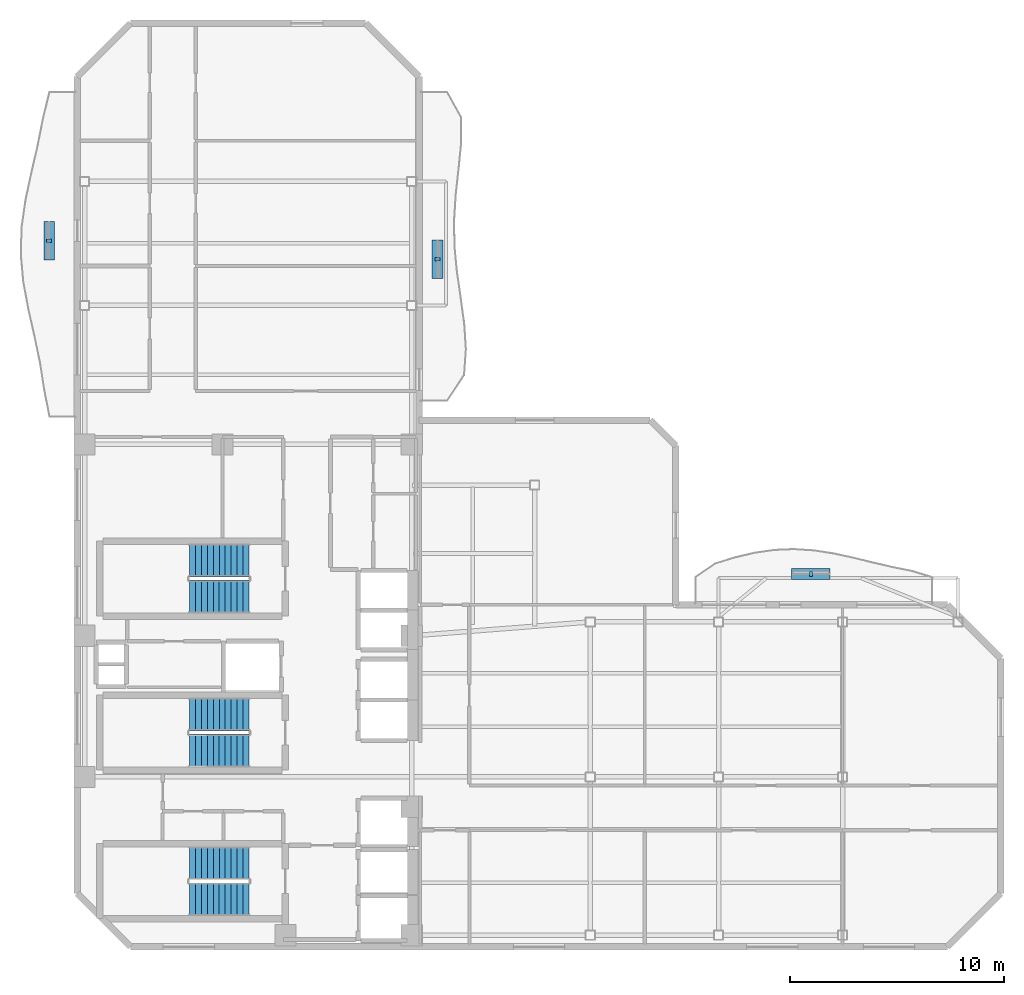
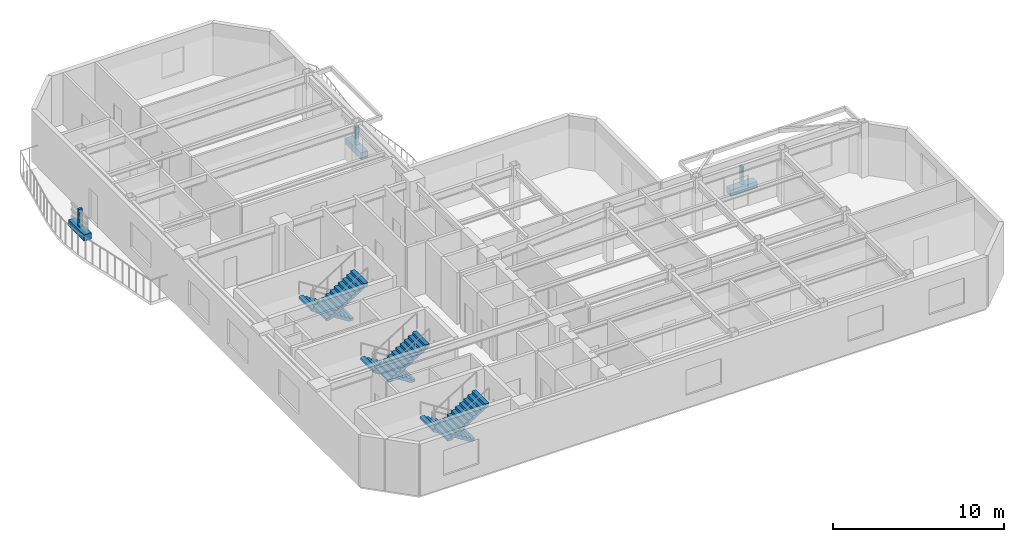
# One storey, part 6 of 9: 6 discrete accessories, 6 stair flights, 3 elements without a shape of their own.
"""IFC4 building model written with IfcOpenShell, lengths in metres."""

from ifc_helpers import new_model, si_unit, direction, frame, origin, origin_2d, place, context, subcontext, project, spatial, polyline, rectangle, outline, extrude, material, type_object, element, aggregate, save


model = new_model("IFC4")

# Units and contexts
model_context = context("Model", 3, precision=1e-05, world=origin(), true_north=direction((0.0, 1.0)))
body_context = subcontext(model_context, "Body", "Model", "MODEL_VIEW")
ifc_project = project(units=[si_unit("LENGTHUNIT", "METRE"), si_unit("AREAUNIT", "SQUARE_METRE"), si_unit("VOLUMEUNIT", "CUBIC_METRE"), si_unit("PLANEANGLEUNIT", "RADIAN"), si_unit("MASSUNIT", "GRAM", prefix="KILO")], contexts=[model_context])

# Site, building, storey
site_placement = place(None, origin())
site = spatial("IfcSite", under=ifc_project, at=site_placement, CompositionType="ELEMENT")
building_placement = place(site_placement, origin())
building = spatial("IfcBuilding", under=site, at=building_placement, Name="Mawjaban Terraces University", CompositionType="ELEMENT")
storey_placement = place(building_placement, frame((0.0, 0.0, 179.699951171875)))
storey = spatial("IfcBuildingStorey", under=building, at=storey_placement, Name="L43", CompositionType="ELEMENT", Elevation=179.699951171875)

# Stair, stair flights
ifc_material_1 = material(Name="Concrete C40/50", Category="concrete")
stair_type = type_object("IfcStairType", Name="Stair_Core1550_H39", PredefinedType="HALF_TURN_STAIR", material=ifc_material_1)
stair_1_placement = place(storey_placement, origin())
stair_1 = element("IfcStair", 1, at=stair_1_placement, inside=storey, type_object=stair_type, Name="L43 Core Exit Stair 1", PredefinedType="HALF_TURN_STAIR")
stair_flight_type = type_object("IfcStairFlightType", Name="Flight_Core1550_H39", PredefinedType="STRAIGHT", material=ifc_material_1)
stair_flight_1_placement = place(storey_placement, frame((30.050048828125, 3.925048828125, 0.0), z_axis=(0.0, 0.0, 1.0), x_axis=(-1.0, 0.0, 0.0)))
stair_flight_1 = element("IfcStairFlight", 2, at=stair_flight_1_placement, type_object=stair_flight_type, Name="ST-1 flight 1", NumberOfRisers=11, NumberOfTreads=10, PredefinedType="STRAIGHT", RiserHeight=0.177272727, TreadLength=0.28, context=body_context, shape_type="SweptSolid", body=[
    extrude(outline(polyline([(0.0, 0.0), (0.0, 0.17724609375), (0.280029296875, 0.17724609375), (0.280029296875, 0.3544921875), (0.56005859375, 0.3544921875), (0.56005859375, 0.53173828125), (0.840087890625, 0.53173828125), (0.840087890625, 0.708984375), (1.1201171875, 0.708984375), (1.1201171875, 0.886474609375), (1.39990234375, 0.886474609375), (1.39990234375, 1.063720703125), (1.679931640625, 1.063720703125), (1.679931640625, 1.240966796875), (1.9599609375, 1.240966796875), (1.9599609375, 1.418212890625), (2.239990234375, 1.418212890625), (2.239990234375, 1.595458984375), (2.52001953125, 1.595458984375), (2.52001953125, 1.772705078125), (2.800048828125, 1.772705078125), (2.800048828125, 1.949951171875), (2.800048828125, 1.59521484375), (0.2802734375, 0.0), (0.0, 0.0)])), frame((0.0, 0.77490234375, 0.0), z_axis=(0.0, -1.0, 0.0), x_axis=(1.0, 0.0, 0.0)), (0.0, 0.0, 1.0), 1.550048828125),
])
stair_flight_2_placement = place(storey_placement, frame((27.25, 2.22509765625, 1.949951171875), z_axis=(0.0, 0.0, 1.0), x_axis=(1.0, 0.0, 0.0)))
stair_flight_2 = element("IfcStairFlight", 3, at=stair_flight_2_placement, type_object=stair_flight_type, Name="ST-1 flight 2", NumberOfRisers=11, NumberOfTreads=10, PredefinedType="STRAIGHT", RiserHeight=0.177272727, TreadLength=0.28, context=body_context, shape_type="SweptSolid", body=[
    extrude(outline(polyline([(0.0, 0.0), (0.0, 0.17724609375), (0.280029296875, 0.17724609375), (0.280029296875, 0.3544921875), (0.56005859375, 0.3544921875), (0.56005859375, 0.53173828125), (0.840087890625, 0.53173828125), (0.840087890625, 0.708984375), (1.1201171875, 0.708984375), (1.1201171875, 0.886474609375), (1.39990234375, 0.886474609375), (1.39990234375, 1.063720703125), (1.679931640625, 1.063720703125), (1.679931640625, 1.240966796875), (1.9599609375, 1.240966796875), (1.9599609375, 1.418212890625), (2.239990234375, 1.418212890625), (2.239990234375, 1.595458984375), (2.52001953125, 1.595458984375), (2.52001953125, 1.772705078125), (2.800048828125, 1.772705078125), (2.800048828125, 1.949951171875), (2.800048828125, 1.59521484375), (0.2802734375, 0.0), (0.0, 0.0)])), frame((0.0, 0.77490234375, 0.0), z_axis=(0.0, -1.0, 0.0), x_axis=(1.0, 0.0, 0.0)), (0.0, 0.0, 1.0), 1.550048828125),
])
aggregate(stair_1, [stair_flight_1, stair_flight_2])

stair_2_placement = place(storey_placement, origin())
stair_2 = element("IfcStair", 4, at=stair_2_placement, inside=storey, type_object=stair_type, Name="L43 Core Exit Stair 2", PredefinedType="HALF_TURN_STAIR")
stair_flight_3_placement = place(storey_placement, frame((30.050048828125, 18.074951171875, 0.0), z_axis=(0.0, 0.0, 1.0), x_axis=(-1.0, 0.0, 0.0)))
stair_flight_3 = element("IfcStairFlight", 5, at=stair_flight_3_placement, type_object=stair_flight_type, Name="ST-2 flight 1", NumberOfRisers=11, NumberOfTreads=10, PredefinedType="STRAIGHT", RiserHeight=0.177272727, TreadLength=0.28, context=body_context, shape_type="SweptSolid", body=[
    extrude(outline(polyline([(0.0, 0.0), (0.0, 0.17724609375), (0.280029296875, 0.17724609375), (0.280029296875, 0.3544921875), (0.56005859375, 0.3544921875), (0.56005859375, 0.53173828125), (0.840087890625, 0.53173828125), (0.840087890625, 0.708984375), (1.1201171875, 0.708984375), (1.1201171875, 0.886474609375), (1.39990234375, 0.886474609375), (1.39990234375, 1.063720703125), (1.679931640625, 1.063720703125), (1.679931640625, 1.240966796875), (1.9599609375, 1.240966796875), (1.9599609375, 1.418212890625), (2.239990234375, 1.418212890625), (2.239990234375, 1.595458984375), (2.52001953125, 1.595458984375), (2.52001953125, 1.772705078125), (2.800048828125, 1.772705078125), (2.800048828125, 1.949951171875), (2.800048828125, 1.59521484375), (0.2802734375, 0.0), (0.0, 0.0)])), frame((0.0, 0.77490234375, 0.0), z_axis=(0.0, -1.0, 0.0), x_axis=(1.0, 0.0, 0.0)), (0.0, 0.0, 1.0), 1.550048828125),
])
stair_flight_4_placement = place(storey_placement, frame((27.25, 16.375, 1.949951171875), z_axis=(0.0, 0.0, 1.0), x_axis=(1.0, 0.0, 0.0)))
stair_flight_4 = element("IfcStairFlight", 6, at=stair_flight_4_placement, type_object=stair_flight_type, Name="ST-2 flight 2", NumberOfRisers=11, NumberOfTreads=10, PredefinedType="STRAIGHT", RiserHeight=0.177272727, TreadLength=0.28, context=body_context, shape_type="SweptSolid", body=[
    extrude(outline(polyline([(0.0, 0.0), (0.0, 0.17724609375), (0.280029296875, 0.17724609375), (0.280029296875, 0.3544921875), (0.56005859375, 0.3544921875), (0.56005859375, 0.53173828125), (0.840087890625, 0.53173828125), (0.840087890625, 0.708984375), (1.1201171875, 0.708984375), (1.1201171875, 0.886474609375), (1.39990234375, 0.886474609375), (1.39990234375, 1.063720703125), (1.679931640625, 1.063720703125), (1.679931640625, 1.240966796875), (1.9599609375, 1.240966796875), (1.9599609375, 1.418212890625), (2.239990234375, 1.418212890625), (2.239990234375, 1.595458984375), (2.52001953125, 1.595458984375), (2.52001953125, 1.772705078125), (2.800048828125, 1.772705078125), (2.800048828125, 1.949951171875), (2.800048828125, 1.59521484375), (0.2802734375, 0.0), (0.0, 0.0)])), frame((0.0, 0.77490234375, 0.0), z_axis=(0.0, -1.0, 0.0), x_axis=(1.0, 0.0, 0.0)), (0.0, 0.0, 1.0), 1.550048828125),
])
aggregate(stair_2, [stair_flight_3, stair_flight_4])

stair_3_placement = place(storey_placement, origin())
stair_3 = element("IfcStair", 7, at=stair_3_placement, inside=storey, type_object=stair_type, Name="L43 Core Exit Stair 3", PredefinedType="HALF_TURN_STAIR")
stair_flight_5_placement = place(storey_placement, frame((30.050048828125, 10.875, 0.0), z_axis=(0.0, 0.0, 1.0), x_axis=(-1.0, 0.0, 0.0)))
stair_flight_5 = element("IfcStairFlight", 8, at=stair_flight_5_placement, type_object=stair_flight_type, Name="ST-3 flight 1", NumberOfRisers=11, NumberOfTreads=10, PredefinedType="STRAIGHT", RiserHeight=0.177272727, TreadLength=0.28, context=body_context, shape_type="SweptSolid", body=[
    extrude(outline(polyline([(0.0, 0.0), (0.0, 0.17724609375), (0.280029296875, 0.17724609375), (0.280029296875, 0.3544921875), (0.56005859375, 0.3544921875), (0.56005859375, 0.53173828125), (0.840087890625, 0.53173828125), (0.840087890625, 0.708984375), (1.1201171875, 0.708984375), (1.1201171875, 0.886474609375), (1.39990234375, 0.886474609375), (1.39990234375, 1.063720703125), (1.679931640625, 1.063720703125), (1.679931640625, 1.240966796875), (1.9599609375, 1.240966796875), (1.9599609375, 1.418212890625), (2.239990234375, 1.418212890625), (2.239990234375, 1.595458984375), (2.52001953125, 1.595458984375), (2.52001953125, 1.772705078125), (2.800048828125, 1.772705078125), (2.800048828125, 1.949951171875), (2.800048828125, 1.59521484375), (0.2802734375, 0.0), (0.0, 0.0)])), frame((0.0, 0.77490234375, 0.0), z_axis=(0.0, -1.0, 0.0), x_axis=(1.0, 0.0, 0.0)), (0.0, 0.0, 1.0), 1.550048828125),
])
stair_flight_6_placement = place(storey_placement, frame((27.25, 9.175048828125, 1.949951171875), z_axis=(0.0, 0.0, 1.0), x_axis=(1.0, 0.0, 0.0)))
stair_flight_6 = element("IfcStairFlight", 9, at=stair_flight_6_placement, type_object=stair_flight_type, Name="ST-3 flight 2", NumberOfRisers=11, NumberOfTreads=10, PredefinedType="STRAIGHT", RiserHeight=0.177272727, TreadLength=0.28, context=body_context, shape_type="SweptSolid", body=[
    extrude(outline(polyline([(0.0, 0.0), (0.0, 0.17724609375), (0.280029296875, 0.17724609375), (0.280029296875, 0.3544921875), (0.56005859375, 0.3544921875), (0.56005859375, 0.53173828125), (0.840087890625, 0.53173828125), (0.840087890625, 0.708984375), (1.1201171875, 0.708984375), (1.1201171875, 0.886474609375), (1.39990234375, 0.886474609375), (1.39990234375, 1.063720703125), (1.679931640625, 1.063720703125), (1.679931640625, 1.240966796875), (1.9599609375, 1.240966796875), (1.9599609375, 1.418212890625), (2.239990234375, 1.418212890625), (2.239990234375, 1.595458984375), (2.52001953125, 1.595458984375), (2.52001953125, 1.772705078125), (2.800048828125, 1.772705078125), (2.800048828125, 1.949951171875), (2.800048828125, 1.59521484375), (0.2802734375, 0.0), (0.0, 0.0)])), frame((0.0, 0.77490234375, 0.0), z_axis=(0.0, -1.0, 0.0), x_axis=(1.0, 0.0, 0.0)), (0.0, 0.0, 1.0), 1.550048828125),
])
aggregate(stair_3, [stair_flight_5, stair_flight_6])

# Discrete accessories
ifc_material_2 = material(Name="Stainless steel 316L", Category="steel")
discrete_accessory_type_1 = type_object("IfcDiscreteAccessoryType", Name="FacadeScreenBracket_Steel", PredefinedType="BRACKET", material=ifc_material_2)
for number, where, z_axis, x_axis, name in (
    (10, (20.693115234375, 33.033935546875, 0.419921875), (0.0, 0.0, 1.0), (0.0, 1.0, 0.0), "L43 Balcony Screen Support Bracket west"),
    (11, (56.322998046875, 17.444091796875, 0.419921875), (0.0, 0.0, 1.0), (1.0, 0.0, 0.0), "L43 Balcony Screen Support Bracket inner_north"),
    (12, (38.85400390625, 32.16796875, 0.419921875), (0.0, 0.0, 1.0), (0.0, 1.0, 0.0), "L43 Balcony Screen Support Bracket inner_east"),
):
    element("IfcDiscreteAccessory", number, at=place(storey_placement, frame(where, z_axis=z_axis, x_axis=x_axis)), inside=storey, type_object=discrete_accessory_type_1, Name=name, PredefinedType="BRACKET", context=body_context, shape_type="SweptSolid", body=[
        extrude(rectangle(XDim=0.159912109375, YDim=0.239990234375, at=origin_2d()), origin(), (0.0, 0.0, 1.0), 1.300048828125),
    ])
ifc_material_3 = material(Name="Precast architectural terracotta planter with engineered planting soil", Category="masonry")
discrete_accessory_type_2 = type_object("IfcDiscreteAccessoryType", Name="IrrigatedPlanterTrough_450", PredefinedType="USERDEFINED", material=ifc_material_3)
for number, where, z_axis, x_axis, name in (
    (13, (20.693115234375, 33.033935546875, -0.0048828125), (0.0, 0.0, 1.0), (0.0, 1.0, 0.0), "L43 Balcony Irrigated Planter west"),
    (14, (56.322998046875, 17.444091796875, -0.0048828125), (0.0, 0.0, 1.0), (1.0, 0.0, 0.0), "L43 Balcony Irrigated Planter inner_north"),
    (15, (38.85400390625, 32.16796875, -0.0048828125), (0.0, 0.0, 1.0), (0.0, 1.0, 0.0), "L43 Balcony Irrigated Planter inner_east"),
):
    element("IfcDiscreteAccessory", number, at=place(storey_placement, frame(where, z_axis=z_axis, x_axis=x_axis)), inside=storey, type_object=discrete_accessory_type_2, Name=name, ObjectType="PLANTER", PredefinedType="USERDEFINED", context=body_context, shape_type="SweptSolid", body=[
        extrude(rectangle(XDim=1.800048828125, YDim=0.5, at=origin_2d()), origin(), (0.0, 0.0, 1.0), 0.449951171875),
    ])

save(model, "model.ifc")
